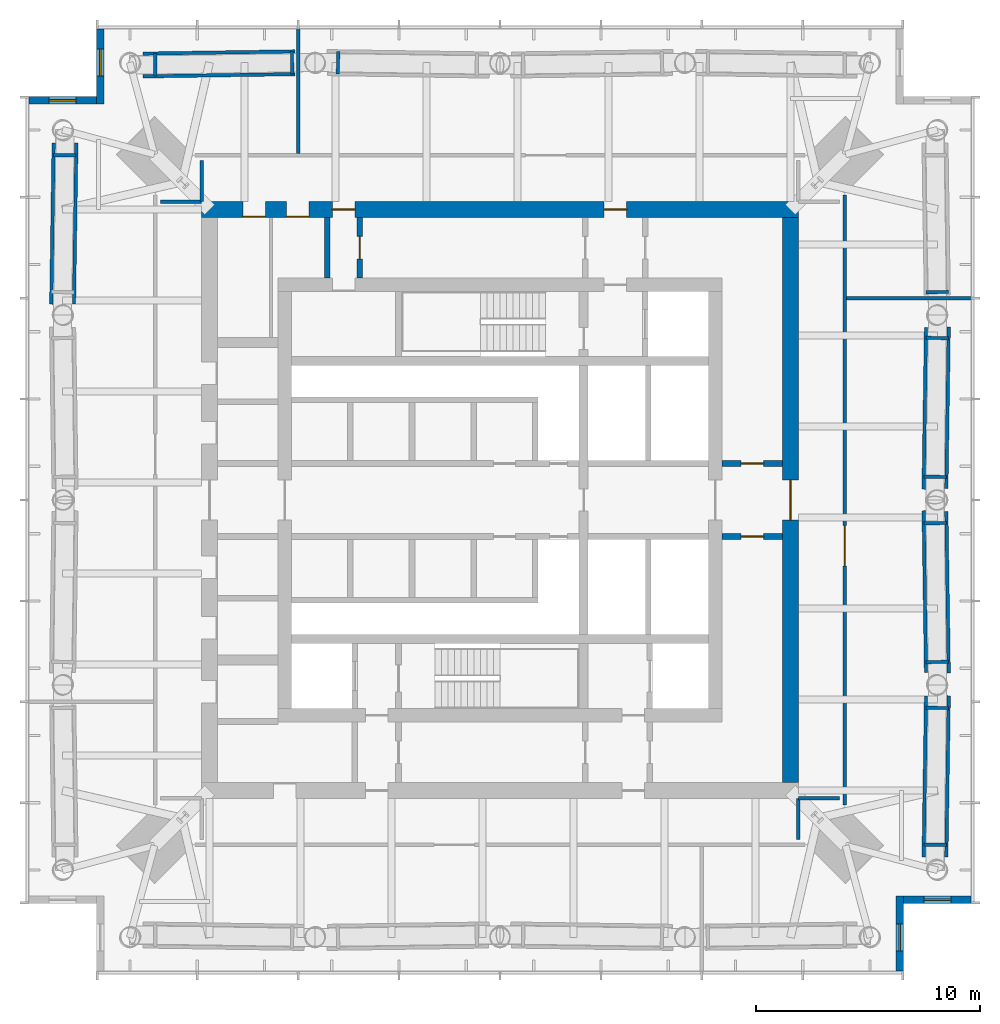
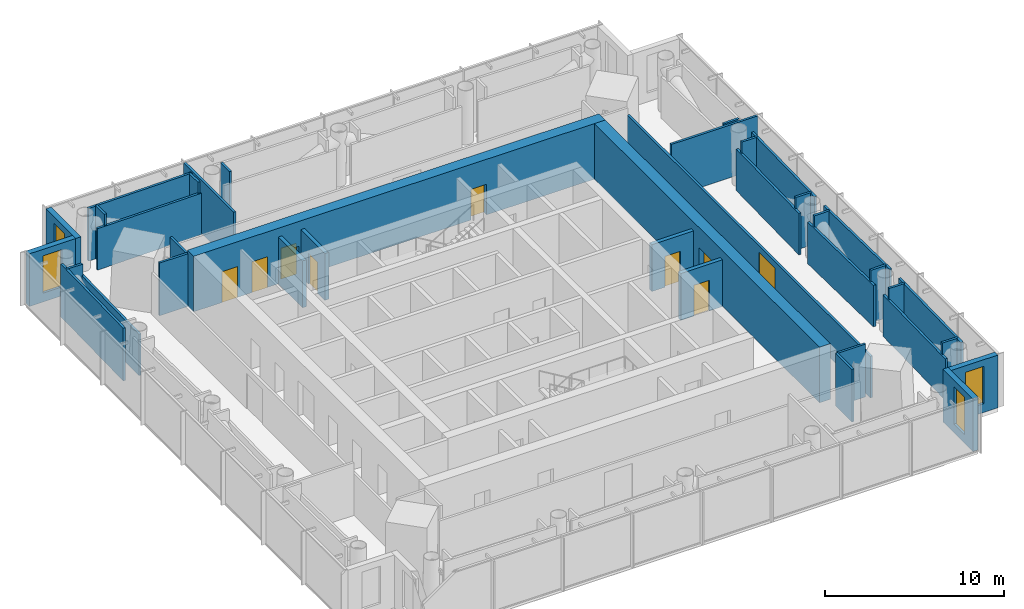
# One storey, part 7 of 9: 38 walls, 9 doors, 4 windows, 13 openings.
"""IFC4 building model written with IfcOpenShell, lengths in metres."""

from ifc_helpers import new_model, si_unit, direction, frame, frame_2d, origin, place, context, subcontext, project, spatial, rectangle, extrude, material, layer, layer_set, type_object, element, fill, save


model = new_model("IFC4")

# Units and contexts
model_context = context("Model", 3, precision=1e-05, world=origin(), true_north=direction((0.0, 1.0)))
body_context = subcontext(model_context, "Body", "Model", "MODEL_VIEW")
ifc_project = project(units=[si_unit("LENGTHUNIT", "METRE"), si_unit("AREAUNIT", "SQUARE_METRE"), si_unit("VOLUMEUNIT", "CUBIC_METRE"), si_unit("PLANEANGLEUNIT", "RADIAN"), si_unit("MASSUNIT", "GRAM", prefix="KILO")], contexts=[model_context])

# Site, building, storey
site_placement = place(None, origin())
site = spatial("IfcSite", under=ifc_project, at=site_placement, CompositionType="ELEMENT")
building_placement = place(site_placement, origin())
building = spatial("IfcBuilding", under=site, at=building_placement, Name="Ostroluk Exchange", CompositionType="ELEMENT")
storey_placement = place(building_placement, frame((0.0, 0.0, 161.60009765625)))
storey = spatial("IfcBuildingStorey", under=building, at=storey_placement, Name="L41", CompositionType="ELEMENT", Elevation=161.60009765625)

# Wall, opening, door
ifc_material_1 = material(Name="Concrete blockwork", Category="masonry")
ifc_layer_1 = layer(ifc_material_1, 0.25)
ifc_layer_set_1 = layer_set([ifc_layer_1], Name="Blockwork stair enclosure wall 250")
wall_type_1 = type_object("IfcWallType", Name="Blockwork stair enclosure wall 250", PredefinedType="SOLIDWALL", material=ifc_layer_set_1)
wall_1_placement = place(storey_placement, frame((54.89990234375, 44.375, 0.0), z_axis=(0.0, 0.0, 1.0), x_axis=(1.0, 0.0, 0.0)))
wall_1 = element("IfcWall", 1, at=wall_1_placement, inside=storey, type_object=wall_type_1, Name="Lift lobby enclosure wall", PredefinedType="SOLIDWALL", context=body_context, shape_type="SweptSolid", body=[
    extrude(rectangle(XDim=2.7001953125, YDim=0.25, at=frame_2d((1.35009765625, 0.0))), origin(), (0.0, 0.0, 1.0), 3.199951171875),
])
opening_1_placement = place(wall_1_placement, frame((0.85009765625, 0.0, 0.0)))
opening_1 = element("IfcOpeningElement", 2, at=opening_1_placement, cuts=wall_1, Name="Opening FD60", PredefinedType="OPENING", context=body_context, shape_type="SweptSolid", body=[
    extrude(rectangle(XDim=1.0, YDim=2.10009765625, at=frame_2d((0.5, 1.050048828125))), frame((0.0, 0.135009765625, 0.0), z_axis=(0.0, -1.0, 0.0), x_axis=(1.0, 0.0, 0.0)), (0.0, 0.0, 1.0), 0.27001953125),
])
ifc_material_2 = material(Name="Steel", Category="steel")
door_type_1 = type_object("IfcDoorType", Name="Fire door EI 60 1000 x 2100", OperationType="SINGLE_SWING_LEFT", PredefinedType="DOOR", material=ifc_material_2)
door_1_placement = place(opening_1_placement, origin())
door_1 = element("IfcDoor", 3, at=door_1_placement, inside=storey, type_object=door_type_1, Name="Core link door", OperationType="SINGLE_SWING_LEFT", OverallHeight=2.10009765625, OverallWidth=1.0, PredefinedType="DOOR", context=body_context, shape_type="SweptSolid", body=[
    extrude(rectangle(XDim=1.0, YDim=2.10009765625, at=frame_2d((0.5, 1.050048828125))), frame((0.0, 0.02490234375, 0.0), z_axis=(0.0, -1.0, 0.0), x_axis=(1.0, 0.0, 0.0)), (0.0, 0.0, 1.0), 0.050048828125),
])
fill(opening_1, door_1)

wall_2_placement = place(storey_placement, frame((54.89990234375, 47.625, 0.0), z_axis=(0.0, 0.0, 1.0), x_axis=(1.0, 0.0, 0.0)))
wall_2 = element("IfcWall", 4, at=wall_2_placement, inside=storey, type_object=wall_type_1, Name="Lift lobby enclosure wall", PredefinedType="SOLIDWALL", context=body_context, shape_type="SweptSolid", body=[
    extrude(rectangle(XDim=2.7001953125, YDim=0.25, at=frame_2d((1.35009765625, 0.0))), origin(), (0.0, 0.0, 1.0), 3.199951171875),
])
opening_2_placement = place(wall_2_placement, frame((0.85009765625, 0.0, 0.0)))
opening_2 = element("IfcOpeningElement", 5, at=opening_2_placement, cuts=wall_2, Name="Opening FD60", PredefinedType="OPENING", context=body_context, shape_type="SweptSolid", body=[
    extrude(rectangle(XDim=1.0, YDim=2.10009765625, at=frame_2d((0.5, 1.050048828125))), frame((0.0, 0.135009765625, 0.0), z_axis=(0.0, -1.0, 0.0), x_axis=(1.0, 0.0, 0.0)), (0.0, 0.0, 1.0), 0.27001953125),
])
door_2_placement = place(opening_2_placement, origin())
door_2 = element("IfcDoor", 6, at=door_2_placement, inside=storey, type_object=door_type_1, Name="Core link door", OperationType="SINGLE_SWING_LEFT", OverallHeight=2.10009765625, OverallWidth=1.0, PredefinedType="DOOR", context=body_context, shape_type="SweptSolid", body=[
    extrude(rectangle(XDim=1.0, YDim=2.10009765625, at=frame_2d((0.5, 1.050048828125))), frame((0.0, 0.02490234375, 0.0), z_axis=(0.0, -1.0, 0.0), x_axis=(1.0, 0.0, 0.0)), (0.0, 0.0, 1.0), 0.050048828125),
])
fill(opening_2, door_2)

# Wall
wall_3_placement = place(storey_placement, frame((37.300048828125, 55.89990234375, 0.0), z_axis=(0.0, 0.0, 1.0), x_axis=(0.0, 1.0, 0.0)))
element("IfcWall", 7, at=wall_3_placement, inside=storey, type_object=wall_type_1, Name="Core corridor wall", PredefinedType="SOLIDWALL", context=body_context, shape_type="SweptSolid", body=[
    extrude(rectangle(XDim=2.7001953125, YDim=0.25, at=frame_2d((1.35009765625, 0.0))), origin(), (0.0, 0.0, 1.0), 3.199951171875),
])

# Wall, opening, door
wall_4_placement = place(storey_placement, frame((38.75, 55.89990234375, 0.0), z_axis=(0.0, 0.0, 1.0), x_axis=(0.0, 1.0, 0.0)))
wall_4 = element("IfcWall", 8, at=wall_4_placement, inside=storey, type_object=wall_type_1, Name="Core corridor wall", PredefinedType="SOLIDWALL", context=body_context, shape_type="SweptSolid", body=[
    extrude(rectangle(XDim=2.7001953125, YDim=0.25, at=frame_2d((1.35009765625, 0.0))), origin(), (0.0, 0.0, 1.0), 3.199951171875),
])
opening_3_placement = place(wall_4_placement, frame((0.85009765625, 0.0, 0.0)))
opening_3 = element("IfcOpeningElement", 9, at=opening_3_placement, cuts=wall_4, Name="Opening FD60", PredefinedType="OPENING", context=body_context, shape_type="SweptSolid", body=[
    extrude(rectangle(XDim=1.0, YDim=2.10009765625, at=frame_2d((0.5, 1.050048828125))), frame((0.0, 0.135009765625, 0.0), z_axis=(0.0, -1.0, 0.0), x_axis=(1.0, 0.0, 0.0)), (0.0, 0.0, 1.0), 0.27001953125),
])
door_3_placement = place(opening_3_placement, origin())
door_3 = element("IfcDoor", 10, at=door_3_placement, inside=storey, type_object=door_type_1, Name="Core link door", OperationType="SINGLE_SWING_LEFT", OverallHeight=2.10009765625, OverallWidth=1.0, PredefinedType="DOOR", context=body_context, shape_type="SweptSolid", body=[
    extrude(rectangle(XDim=1.0, YDim=2.10009765625, at=frame_2d((0.5, 1.050048828125))), frame((0.0, 0.02490234375, 0.0), z_axis=(0.0, -1.0, 0.0), x_axis=(1.0, 0.0, 0.0)), (0.0, 0.0, 1.0), 0.050048828125),
])
fill(opening_3, door_3)

# Wall, openings, doors
ifc_material_3 = material(Name="Concrete C50/60", Category="concrete")
ifc_layer_2 = layer(ifc_material_3, 0.699951171875)
ifc_layer_set_2 = layer_set([ifc_layer_2], Name="Core wall 700 C50/60")
wall_type_2 = type_object("IfcWallType", Name="Core wall 700 C50/60", PredefinedType="SHEAR", material=ifc_layer_set_2)
wall_5_placement = place(storey_placement, frame((31.699951171875, 58.949951171875, 0.0), z_axis=(0.0, 0.0, 1.0), x_axis=(1.0, 0.0, 0.0)))
wall_5 = element("IfcWall", 11, at=wall_5_placement, inside=storey, type_object=wall_type_2, Name="T1 core wall RN", PredefinedType="SHEAR", context=body_context, shape_type="SweptSolid", body=[
    extrude(rectangle(XDim=26.60009765625, YDim=0.699951171875, at=frame_2d((13.300048828125, 0.0))), origin(), (0.0, 0.0, 1.0), 3.7998046875),
])
opening_4_placement = place(wall_5_placement, frame((17.93994140625, 0.0, 0.0)))
opening_4 = element("IfcOpeningElement", 12, at=opening_4_placement, cuts=wall_5, Name="Opening FD60", PredefinedType="OPENING", context=body_context, shape_type="SweptSolid", body=[
    extrude(rectangle(XDim=1.0, YDim=2.10009765625, at=frame_2d((0.5, 1.050048828125))), frame((0.0, 0.35986328125, 0.0), z_axis=(0.0, -1.0, 0.0), x_axis=(1.0, 0.0, 0.0)), (0.0, 0.0, 1.0), 0.719970703125),
])
opening_5_placement = place(wall_5_placement, frame((5.824951171875, 0.0, 0.0)))
opening_5 = element("IfcOpeningElement", 13, at=opening_5_placement, cuts=wall_5, Name="Opening FD60", PredefinedType="OPENING", context=body_context, shape_type="SweptSolid", body=[
    extrude(rectangle(XDim=1.0, YDim=2.10009765625, at=frame_2d((0.5, 1.050048828125))), frame((0.0, 0.35986328125, 0.0), z_axis=(0.0, -1.0, 0.0), x_axis=(1.0, 0.0, 0.0)), (0.0, 0.0, 1.0), 0.719970703125),
])
opening_6_placement = place(wall_5_placement, frame((1.83740234375, 0.0, 0.0)))
opening_6 = element("IfcOpeningElement", 14, at=opening_6_placement, cuts=wall_5, Name="Opening FD60", PredefinedType="OPENING", context=body_context, shape_type="SweptSolid", body=[
    extrude(rectangle(XDim=1.0, YDim=2.10009765625, at=frame_2d((0.5, 1.050048828125))), frame((0.0, 0.35986328125, 0.0), z_axis=(0.0, -1.0, 0.0), x_axis=(1.0, 0.0, 0.0)), (0.0, 0.0, 1.0), 0.719970703125),
])
opening_7_placement = place(wall_5_placement, frame((3.78125, 0.0, 0.0)))
opening_7 = element("IfcOpeningElement", 15, at=opening_7_placement, cuts=wall_5, Name="Opening FD60", PredefinedType="OPENING", context=body_context, shape_type="SweptSolid", body=[
    extrude(rectangle(XDim=1.0, YDim=2.10009765625, at=frame_2d((0.5, 1.050048828125))), frame((0.0, 0.35986328125, 0.0), z_axis=(0.0, -1.0, 0.0), x_axis=(1.0, 0.0, 0.0)), (0.0, 0.0, 1.0), 0.719970703125),
])
door_4_placement = place(opening_4_placement, origin())
door_4 = element("IfcDoor", 16, at=door_4_placement, inside=storey, type_object=door_type_1, Name="Firefighting lobby door", OperationType="SINGLE_SWING_RIGHT", OverallHeight=2.10009765625, OverallWidth=1.0, PredefinedType="DOOR", context=body_context, shape_type="SweptSolid", body=[
    extrude(rectangle(XDim=1.0, YDim=2.10009765625, at=frame_2d((0.5, 1.050048828125))), frame((0.0, 0.02490234375, 0.0), z_axis=(0.0, -1.0, 0.0), x_axis=(1.0, 0.0, 0.0)), (0.0, 0.0, 1.0), 0.050048828125),
])
fill(opening_4, door_4)
door_5_placement = place(opening_5_placement, origin())
door_5 = element("IfcDoor", 17, at=door_5_placement, inside=storey, type_object=door_type_1, Name="Core corridor door", OperationType="SINGLE_SWING_LEFT", OverallHeight=2.10009765625, OverallWidth=1.0, PredefinedType="DOOR", context=body_context, shape_type="SweptSolid", body=[
    extrude(rectangle(XDim=1.0, YDim=2.10009765625, at=frame_2d((0.5, 1.050048828125))), frame((0.0, 0.02490234375, 0.0), z_axis=(0.0, -1.0, 0.0), x_axis=(1.0, 0.0, 0.0)), (0.0, 0.0, 1.0), 0.050048828125),
])
fill(opening_5, door_5)
door_6_placement = place(opening_6_placement, origin())
door_6 = element("IfcDoor", 18, at=door_6_placement, inside=storey, type_object=door_type_1, Name="Plant control room door", OperationType="SINGLE_SWING_LEFT", OverallHeight=2.10009765625, OverallWidth=1.0, PredefinedType="DOOR", context=body_context, shape_type="SweptSolid", body=[
    extrude(rectangle(XDim=1.0, YDim=2.10009765625, at=frame_2d((0.5, 1.050048828125))), frame((0.0, -0.2900390625, 0.0), z_axis=(0.0, -1.0, 0.0), x_axis=(1.0, 0.0, 0.0)), (0.0, 0.0, 1.0), 0.050048828125),
])
fill(opening_6, door_6)
door_7_placement = place(opening_7_placement, origin())
door_7 = element("IfcDoor", 19, at=door_7_placement, inside=storey, type_object=door_type_1, Name="Plant control room door", OperationType="SINGLE_SWING_LEFT", OverallHeight=2.10009765625, OverallWidth=1.0, PredefinedType="DOOR", context=body_context, shape_type="SweptSolid", body=[
    extrude(rectangle(XDim=1.0, YDim=2.10009765625, at=frame_2d((0.5, 1.050048828125))), frame((0.0, -0.2900390625, 0.0), z_axis=(0.0, -1.0, 0.0), x_axis=(1.0, 0.0, 0.0)), (0.0, 0.0, 1.0), 0.050048828125),
])
fill(opening_7, door_7)

# Wall, opening, door
wall_6_placement = place(storey_placement, frame((57.949951171875, 33.39990234375, 0.0), z_axis=(0.0, 0.0, 1.0), x_axis=(0.0, 1.0, 0.0)))
wall_6 = element("IfcWall", 20, at=wall_6_placement, inside=storey, type_object=wall_type_2, Name="T1 core wall RE", PredefinedType="SHEAR", context=body_context, shape_type="SweptSolid", body=[
    extrude(rectangle(XDim=25.2001953125, YDim=0.699951171875, at=frame_2d((12.60009765625, 0.0))), origin(), (0.0, 0.0, 1.0), 3.7998046875),
])
opening_8_placement = place(wall_6_placement, frame((11.699951171875, 0.0, 0.0)))
opening_8 = element("IfcOpeningElement", 21, at=opening_8_placement, cuts=wall_6, Name="Opening FD30D", PredefinedType="OPENING", context=body_context, shape_type="SweptSolid", body=[
    extrude(rectangle(XDim=1.800048828125, YDim=2.39990234375, at=frame_2d((0.89990234375, 1.199951171875))), frame((0.0, 0.35986328125, 0.0), z_axis=(0.0, -1.0, 0.0), x_axis=(1.0, 0.0, 0.0)), (0.0, 0.0, 1.0), 0.719970703125),
])
ifc_material_4 = material(Name="Timber", Category="wood")
door_type_2 = type_object("IfcDoorType", Name="Lobby double door EI 30 1800 x 2400", OperationType="DOUBLE_DOOR_SINGLE_SWING", PredefinedType="DOOR", material=ifc_material_4)
door_8_placement = place(opening_8_placement, origin())
door_8 = element("IfcDoor", 22, at=door_8_placement, inside=storey, type_object=door_type_2, Name="Lift lobby doors", OperationType="DOUBLE_DOOR_SINGLE_SWING", OverallHeight=2.39990234375, OverallWidth=1.800048828125, PredefinedType="DOOR", context=body_context, shape_type="SweptSolid", body=[
    extrude(rectangle(XDim=1.800048828125, YDim=2.39990234375, at=frame_2d((0.89990234375, 1.199951171875))), frame((0.0, 0.02490234375, 0.0), z_axis=(0.0, -1.0, 0.0), x_axis=(1.0, 0.0, 0.0)), (0.0, 0.0, 1.0), 0.050048828125),
])
fill(opening_8, door_8)

# Wall, opening, window
ifc_material_5 = material(Name="Limestone", Category="masonry")
ifc_layer_3 = layer(ifc_material_5, 0.35009765625)
ifc_layer_set_3 = layer_set([ifc_layer_3], Name="Limestone facade wall 350")
wall_type_3 = type_object("IfcWallType", Name="Limestone facade wall 350", PredefinedType="SOLIDWALL", material=ifc_layer_set_3)
wall_7_placement = place(storey_placement, frame((62.824951171875, 25.0, 0.0), z_axis=(0.0, 0.0, 1.0), x_axis=(0.0, 1.0, 0.0)))
wall_7 = element("IfcWall", 23, at=wall_7_placement, inside=storey, type_object=wall_type_3, Name="Office tower SE corner wall L41 a", PredefinedType="SOLIDWALL", context=body_context, shape_type="SweptSolid", body=[
    extrude(rectangle(XDim=3.35009765625, YDim=0.35009765625, at=frame_2d((1.675048828125, 0.0))), origin(), (0.0, 0.0, 1.0), 3.599853515625),
])
opening_9_placement = place(wall_7_placement, frame((0.89990234375, 0.0, 0.60009765625)))
opening_9 = element("IfcOpeningElement", 24, at=opening_9_placement, cuts=wall_7, Name="Opening WN-LV1", PredefinedType="OPENING", context=body_context, shape_type="SweptSolid", body=[
    extrude(rectangle(XDim=1.199951171875, YDim=2.550048828125, at=frame_2d((0.60009765625, 1.27490234375))), frame((0.0, 0.18505859375, 0.0), z_axis=(0.0, -1.0, 0.0), x_axis=(1.0, 0.0, 0.0)), (0.0, 0.0, 1.0), 0.3701171875),
])
ifc_material_6 = material(Name="Aluminium louvre", Category="aluminium")
window_type = type_object("IfcWindowType", Name="Lancet louvre 1200 x 2550", PartitioningType="SINGLE_PANEL", PredefinedType="USERDEFINED", material=ifc_material_6)
window_1_placement = place(opening_9_placement, origin())
window_1 = element("IfcWindow", 25, at=window_1_placement, inside=storey, type_object=window_type, Name="Office tower SE plant louvre L41", ObjectType="LOUVRE", OverallHeight=2.550048828125, OverallWidth=1.199951171875, PartitioningType="SINGLE_PANEL", PredefinedType="USERDEFINED", context=body_context, shape_type="SweptSolid", body=[
    extrude(rectangle(XDim=1.199951171875, YDim=2.550048828125, at=frame_2d((0.60009765625, 1.27490234375))), frame((0.0, 0.030029296875, 0.0), z_axis=(0.0, -1.0, 0.0), x_axis=(1.0, 0.0, 0.0)), (0.0, 0.0, 1.0), 0.06005859375),
])
fill(opening_9, window_1)

wall_8_placement = place(storey_placement, frame((63.0, 28.175048828125, 0.0), z_axis=(0.0, 0.0, 1.0), x_axis=(1.0, 0.0, 0.0)))
wall_8 = element("IfcWall", 26, at=wall_8_placement, inside=storey, type_object=wall_type_3, Name="Office tower SE corner wall L41 b", PredefinedType="SOLIDWALL", context=body_context, shape_type="SweptSolid", body=[
    extrude(rectangle(XDim=3.0, YDim=0.35009765625, at=frame_2d((1.5, 0.0))), origin(), (0.0, 0.0, 1.0), 3.599853515625),
])
opening_10_placement = place(wall_8_placement, frame((0.89990234375, 0.0, 0.60009765625)))
opening_10 = element("IfcOpeningElement", 27, at=opening_10_placement, cuts=wall_8, Name="Opening WN-LV1", PredefinedType="OPENING", context=body_context, shape_type="SweptSolid", body=[
    extrude(rectangle(XDim=1.199951171875, YDim=2.550048828125, at=frame_2d((0.60009765625, 1.27490234375))), frame((0.0, 0.18505859375, 0.0), z_axis=(0.0, -1.0, 0.0), x_axis=(1.0, 0.0, 0.0)), (0.0, 0.0, 1.0), 0.3701171875),
])
window_2_placement = place(opening_10_placement, origin())
window_2 = element("IfcWindow", 28, at=window_2_placement, inside=storey, type_object=window_type, Name="Office tower SE plant louvre L41", ObjectType="LOUVRE", OverallHeight=2.550048828125, OverallWidth=1.199951171875, PartitioningType="SINGLE_PANEL", PredefinedType="USERDEFINED", context=body_context, shape_type="SweptSolid", body=[
    extrude(rectangle(XDim=1.199951171875, YDim=2.550048828125, at=frame_2d((0.60009765625, 1.27490234375))), frame((0.0, 0.030029296875, 0.0), z_axis=(0.0, -1.0, 0.0), x_axis=(1.0, 0.0, 0.0)), (0.0, 0.0, 1.0), 0.06005859375),
])
fill(opening_10, window_2)

wall_9_placement = place(storey_placement, frame((27.175048828125, 67.0, 0.0), z_axis=(0.0, 0.0, 1.0), x_axis=(0.0, -1.0, 0.0)))
wall_9 = element("IfcWall", 29, at=wall_9_placement, inside=storey, type_object=wall_type_3, Name="Office tower NW corner wall L41 a", PredefinedType="SOLIDWALL", context=body_context, shape_type="SweptSolid", body=[
    extrude(rectangle(XDim=3.35009765625, YDim=0.35009765625, at=frame_2d((1.675048828125, 0.0))), origin(), (0.0, 0.0, 1.0), 3.599853515625),
])
opening_11_placement = place(wall_9_placement, frame((0.89990234375, 0.0, 0.60009765625)))
opening_11 = element("IfcOpeningElement", 30, at=opening_11_placement, cuts=wall_9, Name="Opening WN-LV1", PredefinedType="OPENING", context=body_context, shape_type="SweptSolid", body=[
    extrude(rectangle(XDim=1.199951171875, YDim=2.550048828125, at=frame_2d((0.60009765625, 1.27490234375))), frame((0.0, 0.18505859375, 0.0), z_axis=(0.0, -1.0, 0.0), x_axis=(1.0, 0.0, 0.0)), (0.0, 0.0, 1.0), 0.3701171875),
])
window_3_placement = place(opening_11_placement, origin())
window_3 = element("IfcWindow", 31, at=window_3_placement, inside=storey, type_object=window_type, Name="Office tower NW plant louvre L41", ObjectType="LOUVRE", OverallHeight=2.550048828125, OverallWidth=1.199951171875, PartitioningType="SINGLE_PANEL", PredefinedType="USERDEFINED", context=body_context, shape_type="SweptSolid", body=[
    extrude(rectangle(XDim=1.199951171875, YDim=2.550048828125, at=frame_2d((0.60009765625, 1.27490234375))), frame((0.0, 0.030029296875, 0.0), z_axis=(0.0, -1.0, 0.0), x_axis=(1.0, 0.0, 0.0)), (0.0, 0.0, 1.0), 0.06005859375),
])
fill(opening_11, window_3)

wall_10_placement = place(storey_placement, frame((27.0, 63.824951171875, 0.0), z_axis=(0.0, 0.0, 1.0), x_axis=(-1.0, 0.0, 0.0)))
wall_10 = element("IfcWall", 32, at=wall_10_placement, inside=storey, type_object=wall_type_3, Name="Office tower NW corner wall L41 b", PredefinedType="SOLIDWALL", context=body_context, shape_type="SweptSolid", body=[
    extrude(rectangle(XDim=3.0, YDim=0.35009765625, at=frame_2d((1.5, 0.0))), origin(), (0.0, 0.0, 1.0), 3.599853515625),
])
opening_12_placement = place(wall_10_placement, frame((0.89990234375, 0.0, 0.60009765625)))
opening_12 = element("IfcOpeningElement", 33, at=opening_12_placement, cuts=wall_10, Name="Opening WN-LV1", PredefinedType="OPENING", context=body_context, shape_type="SweptSolid", body=[
    extrude(rectangle(XDim=1.199951171875, YDim=2.550048828125, at=frame_2d((0.60009765625, 1.27490234375))), frame((0.0, 0.18505859375, 0.0), z_axis=(0.0, -1.0, 0.0), x_axis=(1.0, 0.0, 0.0)), (0.0, 0.0, 1.0), 0.3701171875),
])
window_4_placement = place(opening_12_placement, origin())
window_4 = element("IfcWindow", 34, at=window_4_placement, inside=storey, type_object=window_type, Name="Office tower NW plant louvre L41", ObjectType="LOUVRE", OverallHeight=2.550048828125, OverallWidth=1.199951171875, PartitioningType="SINGLE_PANEL", PredefinedType="USERDEFINED", context=body_context, shape_type="SweptSolid", body=[
    extrude(rectangle(XDim=1.199951171875, YDim=2.550048828125, at=frame_2d((0.60009765625, 1.27490234375))), frame((0.0, 0.030029296875, 0.0), z_axis=(0.0, -1.0, 0.0), x_axis=(1.0, 0.0, 0.0)), (0.0, 0.0, 1.0), 0.06005859375),
])
fill(opening_12, window_4)

# Wall
ifc_material_7 = material(Name="Gypsum plasterboard partition", Category="gypsum")
ifc_layer_4 = layer(ifc_material_7, 0.14990234375)
ifc_layer_set_4 = layer_set([ifc_layer_4], Name="Plasterboard partition 150")
wall_type_4 = type_object("IfcWallType", Name="Plasterboard partition 150", PredefinedType="PARTITIONING", material=ifc_layer_set_4)
wall_11_placement = place(storey_placement, frame((58.300048828125, 32.699951171875, 0.0), z_axis=(0.0, 0.0, 1.0), x_axis=(1.0, 0.0, 0.0)))
element("IfcWall", 35, at=wall_11_placement, inside=storey, type_object=wall_type_4, Name="Partition", PredefinedType="PARTITIONING", context=body_context, shape_type="SweptSolid", body=[
    extrude(rectangle(XDim=1.828857421875, YDim=0.14990234375, at=frame_2d((0.91455078125, 0.0))), origin(), (0.0, 0.0, 1.0), 3.599853515625),
])

# Wall, opening, door
wall_12_placement = place(storey_placement, frame((60.375, 32.39697265625, 0.0), z_axis=(0.0, 0.0, 1.0), x_axis=(0.0, 1.0, 0.0)))
wall_12 = element("IfcWall", 36, at=wall_12_placement, inside=storey, type_object=wall_type_4, Name="Partition", PredefinedType="PARTITIONING", context=body_context, shape_type="SweptSolid", body=[
    extrude(rectangle(XDim=27.2060546875, YDim=0.14990234375, at=frame_2d((13.60302734375, 0.0))), origin(), (0.0, 0.0, 1.0), 2.829833984375),
])
opening_13_placement = place(wall_12_placement, frame((10.66552734375, 0.0, 0.0)))
opening_13 = element("IfcOpeningElement", 37, at=opening_13_placement, cuts=wall_12, Name="Opening D-04", PredefinedType="OPENING", context=body_context, shape_type="SweptSolid", body=[
    extrude(rectangle(XDim=1.800048828125, YDim=2.39990234375, at=frame_2d((0.89990234375, 1.199951171875))), frame((0.0, 0.0849609375, 0.0), z_axis=(0.0, -1.0, 0.0), x_axis=(1.0, 0.0, 0.0)), (0.0, 0.0, 1.0), 0.169921875),
])
ifc_material_8 = material(Name="Timber", Category="wood")
door_type_3 = type_object("IfcDoorType", Name="Double door 1800 x 2400", OperationType="DOUBLE_DOOR_SINGLE_SWING", PredefinedType="DOOR", material=ifc_material_8)
door_9_placement = place(opening_13_placement, origin())
door_9 = element("IfcDoor", 38, at=door_9_placement, inside=storey, type_object=door_type_3, Name="Refuge area door", OperationType="DOUBLE_DOOR_SINGLE_SWING", OverallHeight=2.39990234375, OverallWidth=1.800048828125, PredefinedType="DOOR", context=body_context, shape_type="SweptSolid", body=[
    extrude(rectangle(XDim=1.800048828125, YDim=2.39990234375, at=frame_2d((0.89990234375, 1.199951171875))), frame((0.0, 0.02490234375, 0.0), z_axis=(0.0, -1.0, 0.0), x_axis=(1.0, 0.0, 0.0)), (0.0, 0.0, 1.0), 0.050048828125),
])
fill(opening_13, door_9)

# Walls
wall_13_placement = place(storey_placement, frame((60.449951171875, 55.0, 0.0), z_axis=(0.0, 0.0, 1.0), x_axis=(1.0, 0.0, 0.0)))
element("IfcWall", 39, at=wall_13_placement, inside=storey, type_object=wall_type_4, Name="Partition", PredefinedType="PARTITIONING", context=body_context, shape_type="SweptSolid", body=[
    extrude(rectangle(XDim=5.590087890625, YDim=0.14990234375, at=frame_2d((2.794921875, 0.0))), origin(), (0.0, 0.0, 1.0), 3.599853515625),
])
wall_14_placement = place(storey_placement, frame((31.699951171875, 59.300048828125, 0.0), z_axis=(0.0, 0.0, 1.0), x_axis=(0.0, 1.0, 0.0)))
element("IfcWall", 40, at=wall_14_placement, inside=storey, type_object=wall_type_4, Name="Partition", PredefinedType="PARTITIONING", context=body_context, shape_type="SweptSolid", body=[
    extrude(rectangle(XDim=1.828857421875, YDim=0.14990234375, at=frame_2d((0.91455078125, 0.0))), origin(), (0.0, 0.0, 1.0), 3.599853515625),
])
wall_15_placement = place(storey_placement, frame((36.0, 61.449951171875, 0.0), z_axis=(0.0, 0.0, 1.0), x_axis=(0.0, 1.0, 0.0)))
element("IfcWall", 41, at=wall_15_placement, inside=storey, type_object=wall_type_4, Name="Partition", PredefinedType="PARTITIONING", context=body_context, shape_type="SweptSolid", body=[
    extrude(rectangle(XDim=5.590087890625, YDim=0.14990234375, at=frame_2d((2.794921875, 0.0))), origin(), (0.0, 0.0, 1.0), 3.599853515625),
])
for number, where, z_axis, x_axis, name in (
    (42, (31.699951171875, 59.300048828125, 0.0), (0.0, 0.0, 1.0), (-1.0, 0.0, 0.0), "Partition"),
    (43, (58.300048828125, 32.699951171875, 0.0), (0.0, 0.0, 1.0), (0.0, -1.0, 0.0), "Partition"),
):
    element("IfcWall", number, at=place(storey_placement, frame(where, z_axis=z_axis, x_axis=x_axis)), inside=storey, type_object=wall_type_4, Name=name, PredefinedType="PARTITIONING", context=body_context, shape_type="SweptSolid", body=[
        extrude(rectangle(XDim=1.828857421875, YDim=0.14990234375, at=frame_2d((0.91455078125, 0.0))), origin(), (0.0, 0.0, 1.0), 3.599853515625),
    ])
wall_16_placement = place(storey_placement, frame((24.993408203125, 54.727783203125, 0.0), z_axis=(0.0, 0.0, 1.0), x_axis=(0.014940938881, 0.999888377943, 0.0)))
element("IfcWall", 44, at=wall_16_placement, inside=storey, type_object=wall_type_4, Name="Partition", PredefinedType="PARTITIONING", context=body_context, shape_type="SweptSolid", body=[
    extrude(rectangle(XDim=7.189697265625, YDim=0.14990234375, at=frame_2d((3.5947265625, 0.0))), origin(), (0.0, 0.0, 1.0), 3.599853515625),
])
wall_17_placement = place(storey_placement, frame((25.0927734375, 61.376708984375, 0.0), z_axis=(0.0, 0.0, 1.0), x_axis=(0.999888312871, -0.014945293008, 0.0)))
element("IfcWall", 45, at=wall_17_placement, inside=storey, type_object=wall_type_4, Name="Partition", PredefinedType="PARTITIONING", context=body_context, shape_type="SweptSolid", body=[
    extrude(rectangle(XDim=1.0126953125, YDim=0.14990234375, at=frame_2d((0.50634765625, 0.0))), origin(), (0.0, 0.0, 1.0), 3.599853515625),
])
wall_18_placement = place(storey_placement, frame((26.11376953125, 61.91162109375, 0.0), z_axis=(0.0, 0.0, 1.0), x_axis=(-0.014927770252, -0.99988857463, 0.0)))
element("IfcWall", 46, at=wall_18_placement, inside=storey, type_object=wall_type_4, Name="Partition", PredefinedType="PARTITIONING", context=body_context, shape_type="SweptSolid", body=[
    extrude(rectangle(XDim=7.1796875, YDim=0.14990234375, at=frame_2d((3.58984375, 0.0))), origin(), (0.0, 0.0, 1.0), 2.829833984375),
])
for number, where, z_axis, x_axis, name in (
    (47, (37.770751953125, 64.985595703125, 0.0), (0.0, 0.0, 1.0), (0.014704292442, 0.999891886048, 0.0), "Partition"),
    (48, (29.638427734375, 64.89453125, 0.0), (0.0, 0.0, 1.0), (-0.014945293008, 0.999888312871, 0.0), "Partition"),
):
    element("IfcWall", number, at=place(storey_placement, frame(where, z_axis=z_axis, x_axis=x_axis)), inside=storey, type_object=wall_type_4, Name=name, PredefinedType="PARTITIONING", context=body_context, shape_type="SweptSolid", body=[
        extrude(rectangle(XDim=1.0126953125, YDim=0.14990234375, at=frame_2d((0.50634765625, 0.0))), origin(), (0.0, 0.0, 1.0), 3.599853515625),
    ])
wall_19_placement = place(storey_placement, frame((29.083251953125, 65.899169921875, 0.0), z_axis=(0.0, 0.0, 1.0), x_axis=(0.999888466436, 0.014935015518, 0.0)))
element("IfcWall", 49, at=wall_19_placement, inside=storey, type_object=wall_type_4, Name="Partition", PredefinedType="PARTITIONING", context=body_context, shape_type="SweptSolid", body=[
    extrude(rectangle(XDim=6.767578125, YDim=0.14990234375, at=frame_2d((3.3837890625, 0.0))), origin(), (0.0, 0.0, 1.0), 3.599853515625),
])
wall_20_placement = place(storey_placement, frame((35.722412109375, 65.998291015625, 0.0), z_axis=(0.0, 0.0, 1.0), x_axis=(0.014945293008, -0.999888312871, 0.0)))
element("IfcWall", 50, at=wall_20_placement, inside=storey, type_object=wall_type_4, Name="Partition", PredefinedType="PARTITIONING", context=body_context, shape_type="SweptSolid", body=[
    extrude(rectangle(XDim=1.0126953125, YDim=0.14990234375, at=frame_2d((0.50634765625, 0.0))), origin(), (0.0, 0.0, 1.0), 3.599853515625),
])
wall_21_placement = place(storey_placement, frame((35.85009765625, 64.9873046875, 0.0), z_axis=(0.0, 0.0, 1.0), x_axis=(-0.999888297263, -0.014946337199, 0.0)))
element("IfcWall", 51, at=wall_21_placement, inside=storey, type_object=wall_type_4, Name="Partition", PredefinedType="PARTITIONING", context=body_context, shape_type="SweptSolid", body=[
    extrude(rectangle(XDim=6.762451171875, YDim=0.14990234375, at=frame_2d((3.38134765625, 0.0))), origin(), (0.0, 0.0, 1.0), 2.829833984375),
])
wall_22_placement = place(storey_placement, frame((65.006591796875, 37.272216796875, 0.0), z_axis=(0.0, 0.0, 1.0), x_axis=(-0.014940938881, -0.999888377943, 0.0)))
element("IfcWall", 52, at=wall_22_placement, inside=storey, type_object=wall_type_4, Name="Partition", PredefinedType="PARTITIONING", context=body_context, shape_type="SweptSolid", body=[
    extrude(rectangle(XDim=7.189697265625, YDim=0.14990234375, at=frame_2d((3.5947265625, 0.0))), origin(), (0.0, 0.0, 1.0), 3.599853515625),
])
wall_23_placement = place(storey_placement, frame((64.9072265625, 30.623291015625, 0.0), z_axis=(0.0, 0.0, 1.0), x_axis=(-0.999888312871, 0.014945293008, 0.0)))
element("IfcWall", 53, at=wall_23_placement, inside=storey, type_object=wall_type_4, Name="Partition", PredefinedType="PARTITIONING", context=body_context, shape_type="SweptSolid", body=[
    extrude(rectangle(XDim=1.0126953125, YDim=0.14990234375, at=frame_2d((0.50634765625, 0.0))), origin(), (0.0, 0.0, 1.0), 3.599853515625),
])
wall_24_placement = place(storey_placement, frame((63.88623046875, 30.08837890625, 0.0), z_axis=(0.0, 0.0, 1.0), x_axis=(0.014927770252, 0.99988857463, 0.0)))
element("IfcWall", 54, at=wall_24_placement, inside=storey, type_object=wall_type_4, Name="Partition", PredefinedType="PARTITIONING", context=body_context, shape_type="SweptSolid", body=[
    extrude(rectangle(XDim=7.1796875, YDim=0.14990234375, at=frame_2d((3.58984375, 0.0))), origin(), (0.0, 0.0, 1.0), 2.829833984375),
])
for number, where, z_axis, x_axis, name in (
    (55, (63.985595703125, 36.737548828125, 0.0), (0.0, 0.0, 1.0), (0.999888312871, -0.014945293008, 0.0), "Partition"),
    (56, (63.89453125, 44.9609375, 0.0), (0.0, 0.0, 1.0), (0.999891886048, 0.014704292442, 0.0), "Partition"),
):
    element("IfcWall", number, at=place(storey_placement, frame(where, z_axis=z_axis, x_axis=x_axis)), inside=storey, type_object=wall_type_4, Name=name, PredefinedType="PARTITIONING", context=body_context, shape_type="SweptSolid", body=[
        extrude(rectangle(XDim=1.0126953125, YDim=0.14990234375, at=frame_2d((0.50634765625, 0.0))), origin(), (0.0, 0.0, 1.0), 3.599853515625),
    ])
wall_25_placement = place(storey_placement, frame((64.899658203125, 45.49560546875, 0.0), z_axis=(0.0, 0.0, 1.0), x_axis=(0.014716727824, -0.999891703097, 0.0)))
element("IfcWall", 57, at=wall_25_placement, inside=storey, type_object=wall_type_4, Name="Partition", PredefinedType="PARTITIONING", context=body_context, shape_type="SweptSolid", body=[
    extrude(rectangle(XDim=7.21630859375, YDim=0.14990234375, at=frame_2d((3.608154296875, 0.0))), origin(), (0.0, 0.0, 1.0), 3.599853515625),
])
wall_26_placement = place(storey_placement, frame((64.998291015625, 38.78564453125, 0.0), z_axis=(0.0, 0.0, 1.0), x_axis=(-0.999891886048, -0.014704292442, 0.0)))
element("IfcWall", 58, at=wall_26_placement, inside=storey, type_object=wall_type_4, Name="Partition", PredefinedType="PARTITIONING", context=body_context, shape_type="SweptSolid", body=[
    extrude(rectangle(XDim=1.0126953125, YDim=0.14990234375, at=frame_2d((0.50634765625, 0.0))), origin(), (0.0, 0.0, 1.0), 3.599853515625),
])
wall_27_placement = place(storey_placement, frame((63.9921875, 38.310791015625, 0.0), z_axis=(0.0, 0.0, 1.0), x_axis=(-0.014694336383, 0.999892032411, 0.0)))
element("IfcWall", 59, at=wall_27_placement, inside=storey, type_object=wall_type_4, Name="Partition", PredefinedType="PARTITIONING", context=body_context, shape_type="SweptSolid", body=[
    extrude(rectangle(XDim=7.210693359375, YDim=0.14990234375, at=frame_2d((3.60546875, 0.0))), origin(), (0.0, 0.0, 1.0), 2.829833984375),
])
wall_28_placement = place(storey_placement, frame((65.005859375, 53.719970703125, 0.0), z_axis=(0.0, 0.0, 1.0), x_axis=(-0.014716727824, -0.999891703097, 0.0)))
element("IfcWall", 60, at=wall_28_placement, inside=storey, type_object=wall_type_4, Name="Partition", PredefinedType="PARTITIONING", context=body_context, shape_type="SweptSolid", body=[
    extrude(rectangle(XDim=7.21630859375, YDim=0.14990234375, at=frame_2d((3.608154296875, 0.0))), origin(), (0.0, 0.0, 1.0), 3.599853515625),
])
wall_29_placement = place(storey_placement, frame((64.9072265625, 47.024169921875, 0.0), z_axis=(0.0, 0.0, 1.0), x_axis=(-0.999891886048, 0.014704292442, 0.0)))
element("IfcWall", 61, at=wall_29_placement, inside=storey, type_object=wall_type_4, Name="Partition", PredefinedType="PARTITIONING", context=body_context, shape_type="SweptSolid", body=[
    extrude(rectangle(XDim=1.0126953125, YDim=0.14990234375, at=frame_2d((0.50634765625, 0.0))), origin(), (0.0, 0.0, 1.0), 3.599853515625),
])
wall_30_placement = place(storey_placement, frame((63.88623046875, 46.479248046875, 0.0), z_axis=(0.0, 0.0, 1.0), x_axis=(0.014694336383, 0.999892032411, 0.0)))
element("IfcWall", 62, at=wall_30_placement, inside=storey, type_object=wall_type_4, Name="Partition", PredefinedType="PARTITIONING", context=body_context, shape_type="SweptSolid", body=[
    extrude(rectangle(XDim=7.210693359375, YDim=0.14990234375, at=frame_2d((3.60546875, 0.0))), origin(), (0.0, 0.0, 1.0), 2.829833984375),
])
for number, where, z_axis, x_axis, name in (
    (63, (63.985595703125, 53.229248046875, 0.0), (0.0, 0.0, 1.0), (0.999891886048, -0.014704292442, 0.0), "Partition"),
    (64, (64.998291015625, 55.277587890625, 0.0), (0.0, 0.0, 1.0), (-0.999888312871, -0.014945293008, 0.0), "Partition"),
):
    element("IfcWall", number, at=place(storey_placement, frame(where, z_axis=z_axis, x_axis=x_axis)), inside=storey, type_object=wall_type_4, Name=name, PredefinedType="PARTITIONING", context=body_context, shape_type="SweptSolid", body=[
        extrude(rectangle(XDim=1.0126953125, YDim=0.14990234375, at=frame_2d((0.50634765625, 0.0))), origin(), (0.0, 0.0, 1.0), 3.599853515625),
    ])

save(model, "model.ifc")
